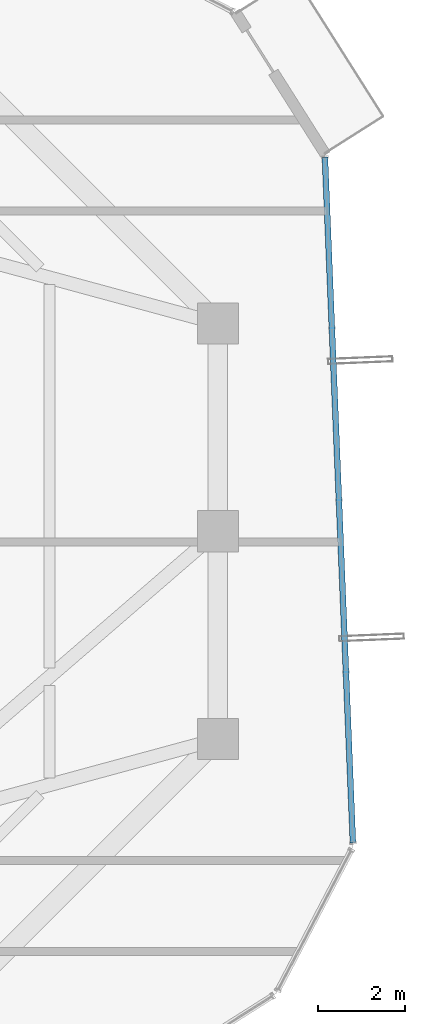
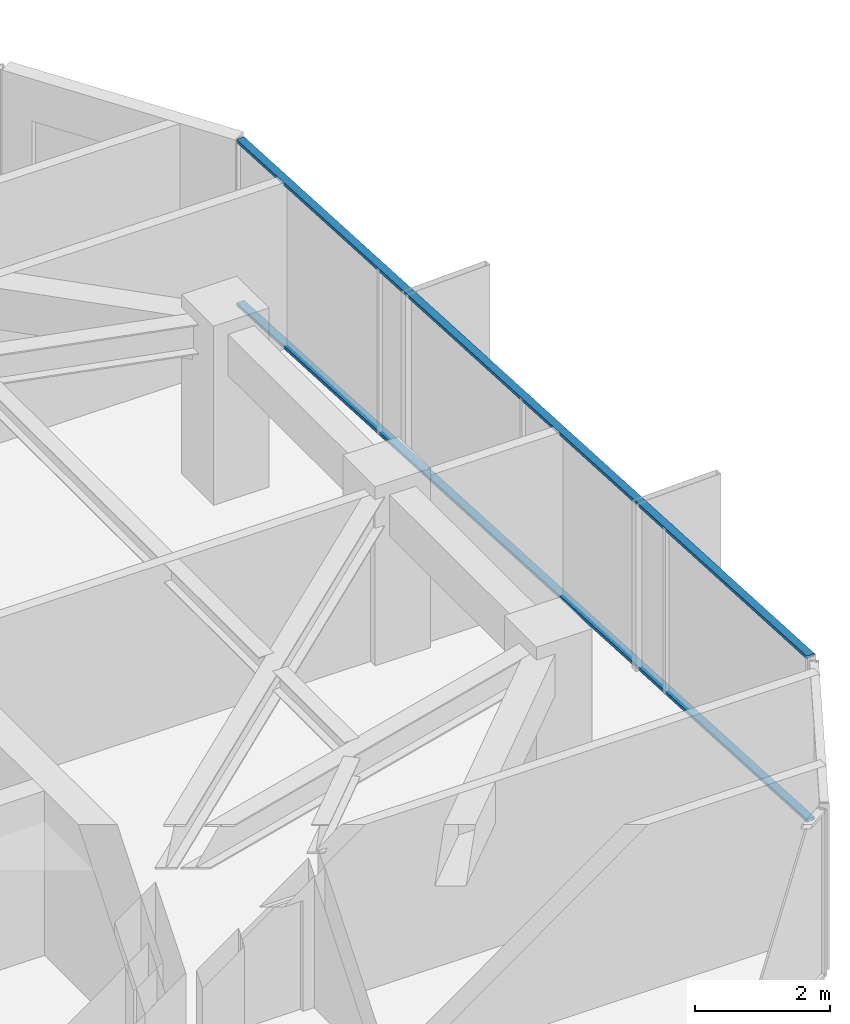
# One storey, part 20 of 33: 2 members, 1 element without a shape of its own.
"""IFC4 building model written with IfcOpenShell, lengths in metres."""

from ifc_helpers import new_model, si_unit, direction, frame, origin, origin_2d, place, context, subcontext, project, spatial, hollow_rectangle, extrude, source, transform, mapped, material, layer, layer_set, material_profile, profile_set, type_object, element, aggregate, save


model = new_model("IFC4")

# Units and contexts
model_context = context("Model", 3, precision=1e-05, world=origin(), true_north=direction((0.0, 1.0)))
body_context = subcontext(model_context, "Body", "Model", "MODEL_VIEW")
ifc_project = project(units=[si_unit("LENGTHUNIT", "METRE"), si_unit("AREAUNIT", "SQUARE_METRE"), si_unit("VOLUMEUNIT", "CUBIC_METRE"), si_unit("PLANEANGLEUNIT", "RADIAN"), si_unit("MASSUNIT", "GRAM", prefix="KILO")], contexts=[model_context])

# Site, building, storey
site_placement = place(None, origin())
site = spatial("IfcSite", under=ifc_project, at=site_placement, CompositionType="ELEMENT")
building_placement = place(site_placement, origin())
building = spatial("IfcBuilding", under=site, at=building_placement, Name="Veraguas Prism Commons", CompositionType="ELEMENT")
storey_placement = place(building_placement, frame((0.0, 0.0, 198.35009765625)))
storey = spatial("IfcBuildingStorey", under=building, at=storey_placement, Name="L56", CompositionType="ELEMENT", Elevation=198.35009765625)

# Curtain wall, members
ifc_material = material(Name="Anodised aluminium EN AW-6063 T6", Category="aluminium")
ifc_layer = layer(ifc_material, 0.14990234375, Name="Unitised Flush Curtain Wall Zone 3", Category="aluminium")
ifc_layer_set = layer_set([ifc_layer], Name="Anodised aluminium EN AW-6063 T6")
curtain_wall_type = type_object("IfcCurtainWallType", Name="Unitised Flush Curtain Wall Zone 3", PredefinedType="NOTDEFINED", material=ifc_layer_set)
curtain_wall_placement = place(storey_placement, origin())
curtain_wall = element("IfcCurtainWall", 1, at=curtain_wall_placement, inside=storey, type_object=curtain_wall_type, Name="Tower Facade Curtain Wall L56-F6", PredefinedType="NOTDEFINED")
ifc_material_profile = material_profile(ifc_material, hollow_rectangle(XDim=0.054931640625, YDim=0.135009765625, WallThickness=0.0029296875, at=origin_2d()), Name="AL55X135X3")
ifc_profile_set = profile_set([ifc_material_profile], Name="Anodised aluminium EN AW-6063 T6")
member_type = type_object("IfcMemberType", Name="Curtain Wall Transom Standard AL 55x135x3", PredefinedType="USERDEFINED", material=ifc_profile_set)
shared_shape = source(origin(), body_context, "Body", "SweptSolid", [
    extrude(hollow_rectangle(XDim=0.054931640625, YDim=0.135009765625, WallThickness=0.0029296875, at=origin_2d()), origin(), (0.0, 0.0, 1.0), 15.84228515625),
])
member_1_placement = place(storey_placement, frame((42.018798828125, 16.80859375, 0.02734375), z_axis=(-0.040822872959, 0.999166399076, 0.0), x_axis=(0.0, 0.0, 1.0)))
member_1 = element("IfcMember", 2, at=member_1_placement, type_object=member_type, Name="CW-Z3 Transom 1", ObjectType="TRANSOM", PredefinedType="USERDEFINED", context=body_context, shape_type="MappedRepresentation", body=[
    mapped(shared_shape, transform((0.0, 0.0, 0.0), scale=1.0)),
])
member_2_placement = place(storey_placement, frame((42.018798828125, 16.80859375, 2.9873046875), z_axis=(-0.040822872959, 0.999166399076, 0.0), x_axis=(0.0, 0.0, 1.0)))
member_2 = element("IfcMember", 3, at=member_2_placement, type_object=member_type, Name="CW-Z3 Transom 2", ObjectType="TRANSOM", PredefinedType="USERDEFINED", context=body_context, shape_type="MappedRepresentation", body=[
    mapped(shared_shape, transform((0.0, 0.0, 0.0), scale=1.0)),
])
aggregate(curtain_wall, [member_1, member_2])

save(model, "model.ifc")
